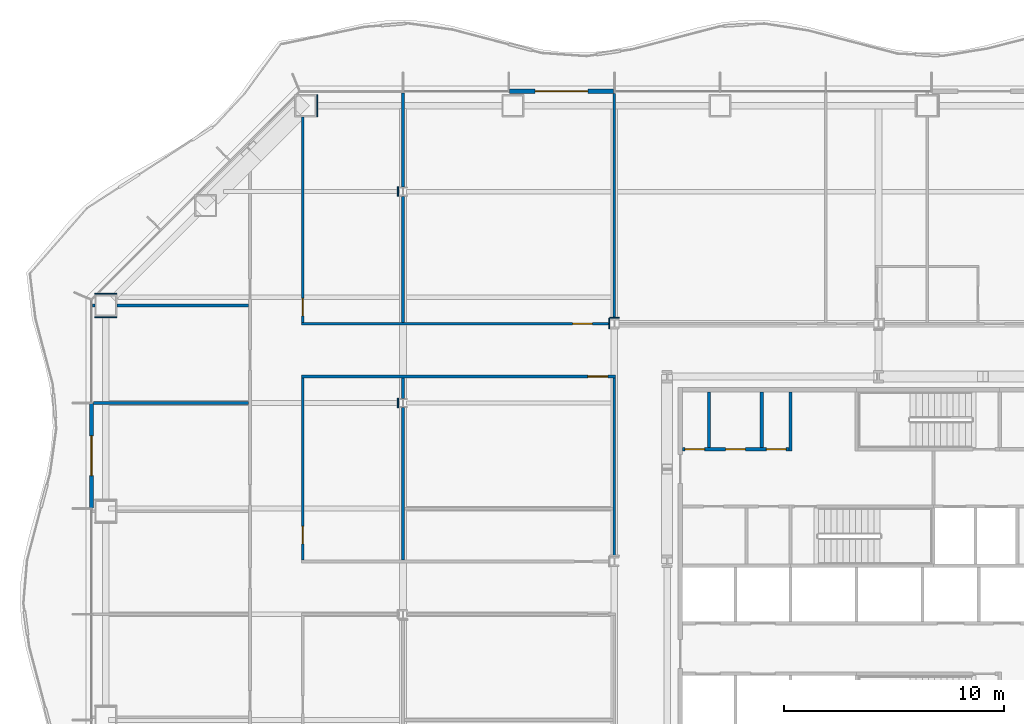
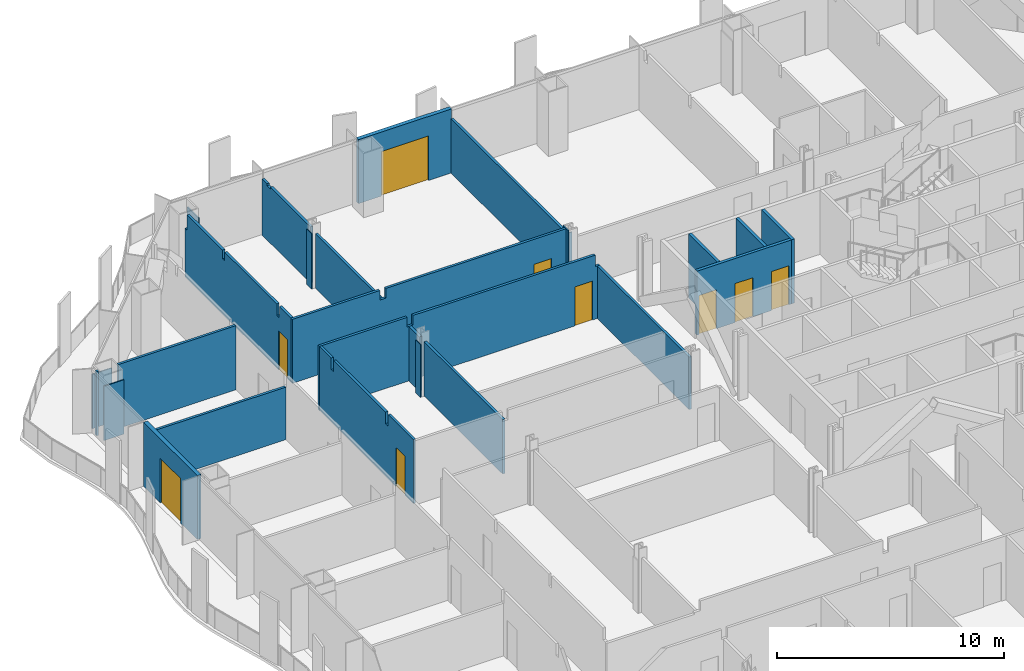
# One storey, part 12 of 20: 26 walls, 9 doors, 9 openings.
"""IFC4 building model written with IfcOpenShell, lengths in metres."""

from ifc_helpers import new_model, si_unit, direction, frame, frame_2d, origin, place, context, subcontext, project, spatial, polyline, rectangle, outline, extrude, material, layer, layer_set, type_object, element, fill, save


model = new_model("IFC4")

# Units and contexts
model_context = context("Model", 3, precision=1e-05, world=origin(), true_north=direction((0.0, 1.0)))
body_context = subcontext(model_context, "Body", "Model", "MODEL_VIEW")
ifc_project = project(units=[si_unit("LENGTHUNIT", "METRE"), si_unit("AREAUNIT", "SQUARE_METRE"), si_unit("VOLUMEUNIT", "CUBIC_METRE"), si_unit("PLANEANGLEUNIT", "RADIAN"), si_unit("MASSUNIT", "GRAM", prefix="KILO")], contexts=[model_context])

# Site, building, storey
site_placement = place(None, origin())
site = spatial("IfcSite", under=ifc_project, at=site_placement, CompositionType="ELEMENT")
building_placement = place(site_placement, origin())
building = spatial("IfcBuilding", under=site, at=building_placement, Name="Cairn Pilgrim Tower", CompositionType="ELEMENT")
storey_placement = place(building_placement, frame((0.0, 0.0, 51.0)))
storey = spatial("IfcBuildingStorey", under=building, at=storey_placement, Name="L10", CompositionType="ELEMENT", Elevation=51.0)

# Wall, opening, door
ifc_material_1 = material(Name="Bronze anodised aluminium insulated sandwich panel with mineral wool fill", Category="aluminium")
ifc_layer_1 = layer(ifc_material_1, 0.199951171875)
ifc_layer_set_1 = layer_set([ifc_layer_1], Name="BRONZE INFILL FRAME WALL 200")
wall_type_1 = type_object("IfcWallType", Name="BRONZE INFILL FRAME WALL 200", PredefinedType="NOTDEFINED", material=ifc_layer_set_1)
wall_1_placement = place(storey_placement, frame((-4.830078125, 23.75, 0.0), z_axis=(0.0, 0.0, 1.0), x_axis=(-1.0, 0.0, 0.0)))
wall_1 = element("IfcWall", 1, at=wall_1_placement, inside=storey, type_object=wall_type_1, Name="Bronze infill frame wall IW-N6", PredefinedType="NOTDEFINED", context=body_context, shape_type="SweptSolid", body=[
    extrude(rectangle(XDim=4.739990234375, YDim=0.199951171875, at=frame_2d((2.3701171875, 0.0))), origin(), (0.0, 0.0, 1.0), 3.449951171875),
])
opening_1_placement = place(wall_1_placement, frame((1.169921875, 0.0, 0.0)))
opening_1 = element("IfcOpeningElement", 2, at=opening_1_placement, cuts=wall_1, Name="Opening 1017B", PredefinedType="OPENING", context=body_context, shape_type="SweptSolid", body=[
    extrude(rectangle(XDim=2.39990234375, YDim=2.39990234375, at=frame_2d((1.199951171875, 1.199951171875))), frame((0.0, 0.10986328125, 0.0), z_axis=(0.0, -1.0, 0.0), x_axis=(1.0, 0.0, 0.0)), (0.0, 0.0, 1.0), 0.219970703125),
])
ifc_material_2 = material(Name="Bronze anodised aluminium frame with tinted low-E glass", Category="aluminium")
door_type_1 = type_object("IfcDoorType", Name="BALCONY SLIDING DOOR 2400x2400", OperationType="DOUBLE_DOOR_SLIDING", PredefinedType="DOOR", material=ifc_material_2)
door_1_placement = place(opening_1_placement, origin())
door_1 = element("IfcDoor", 3, at=door_1_placement, inside=storey, type_object=door_type_1, Name="Balcony sliding door 1017B", OperationType="SINGLE_SWING_LEFT", OverallHeight=2.39990234375, OverallWidth=2.39990234375, PredefinedType="DOOR", context=body_context, shape_type="SweptSolid", body=[
    extrude(rectangle(XDim=2.39990234375, YDim=2.39990234375, at=frame_2d((1.199951171875, 1.199951171875))), frame((0.0, 0.02490234375, 0.0), z_axis=(0.0, -1.0, 0.0), x_axis=(1.0, 0.0, 0.0)), (0.0, 0.0, 1.0), 0.050048828125),
])
fill(opening_1, door_1)

wall_2_placement = place(storey_placement, frame((-28.550048828125, 9.570068359375, 0.0), z_axis=(0.0, 0.0, 1.0), x_axis=(0.0, -1.0, 0.0)))
wall_2 = element("IfcWall", 4, at=wall_2_placement, inside=storey, type_object=wall_type_1, Name="Bronze infill frame wall IW-W2", PredefinedType="NOTDEFINED", context=body_context, shape_type="SweptSolid", body=[
    extrude(rectangle(XDim=4.739990234375, YDim=0.199951171875, at=frame_2d((2.3701171875, 0.0))), origin(), (0.0, 0.0, 1.0), 3.449951171875),
])
opening_2_placement = place(wall_2_placement, frame((1.469970703125, 0.0, 0.0)))
opening_2 = element("IfcOpeningElement", 5, at=opening_2_placement, cuts=wall_2, Name="Opening 1013B", PredefinedType="OPENING", context=body_context, shape_type="SweptSolid", body=[
    extrude(rectangle(XDim=1.800048828125, YDim=2.39990234375, at=frame_2d((0.89990234375, 1.199951171875))), frame((0.0, 0.10986328125, 0.0), z_axis=(0.0, -1.0, 0.0), x_axis=(1.0, 0.0, 0.0)), (0.0, 0.0, 1.0), 0.219970703125),
])
door_type_2 = type_object("IfcDoorType", Name="BALCONY SLIDING DOOR 1800x2400", OperationType="DOUBLE_DOOR_SLIDING", PredefinedType="DOOR", material=ifc_material_2)
door_2_placement = place(opening_2_placement, origin())
door_2 = element("IfcDoor", 6, at=door_2_placement, inside=storey, type_object=door_type_2, Name="Balcony sliding door 1013B", OperationType="SINGLE_SWING_LEFT", OverallHeight=2.39990234375, OverallWidth=1.800048828125, PredefinedType="DOOR", context=body_context, shape_type="SweptSolid", body=[
    extrude(rectangle(XDim=1.800048828125, YDim=2.39990234375, at=frame_2d((0.89990234375, 1.199951171875))), frame((0.0, 0.02490234375, 0.0), z_axis=(0.0, -1.0, 0.0), x_axis=(1.0, 0.0, 0.0)), (0.0, 0.0, 1.0), 0.050048828125),
])
fill(opening_2, door_2)

# Wall, openings, doors
ifc_material_3 = material(Name="Concrete C32/40", Category="concrete")
ifc_layer_2 = layer(ifc_material_3, 0.14990234375)
ifc_layer_set_2 = layer_set([ifc_layer_2], Name="CORE PARTITION 150 EI 60")
wall_type_2 = type_object("IfcWallType", Name="CORE PARTITION 150 EI 60", PredefinedType="PARTITIONING", material=ifc_layer_set_2)
wall_3_placement = place(storey_placement, frame((-1.699951171875, 7.5, 0.0), z_axis=(0.0, 0.0, 1.0), x_axis=(1.0, 0.0, 0.0)))
wall_3 = element("IfcWall", 7, at=wall_3_placement, inside=storey, type_object=wall_type_2, Name="CW:L10:H09", PredefinedType="PARTITIONING", context=body_context, shape_type="SweptSolid", body=[
    extrude(rectangle(XDim=4.824951171875, YDim=0.14990234375, at=frame_2d((2.41259765625, 0.0))), origin(), (0.0, 0.0, 1.0), 3.449951171875),
])
opening_3_placement = place(wall_3_placement, frame((0.10009765625, 0.0, 0.0)))
opening_3 = element("IfcOpeningElement", 8, at=opening_3_placement, cuts=wall_3, Name="Opening RD-R4W1", PredefinedType="OPENING", context=body_context, shape_type="SweptSolid", body=[
    extrude(rectangle(XDim=0.89990234375, YDim=2.10009765625, at=frame_2d((0.449951171875, 1.050048828125))), frame((0.0, 0.0849609375, 0.0), z_axis=(0.0, -1.0, 0.0), x_axis=(1.0, 0.0, 0.0)), (0.0, 0.0, 1.0), 0.169921875),
])
opening_4_placement = place(wall_3_placement, frame((1.949951171875, 0.0, 0.0)))
opening_4 = element("IfcOpeningElement", 9, at=opening_4_placement, cuts=wall_3, Name="Opening RD-R4W2", PredefinedType="OPENING", context=body_context, shape_type="SweptSolid", body=[
    extrude(rectangle(XDim=0.89990234375, YDim=2.10009765625, at=frame_2d((0.449951171875, 1.050048828125))), frame((0.0, 0.0849609375, 0.0), z_axis=(0.0, -1.0, 0.0), x_axis=(1.0, 0.0, 0.0)), (0.0, 0.0, 1.0), 0.169921875),
])
opening_5_placement = place(wall_3_placement, frame((3.800048828125, 0.0, 0.0)))
opening_5 = element("IfcOpeningElement", 10, at=opening_5_placement, cuts=wall_3, Name="Opening RD-R4W3", PredefinedType="OPENING", context=body_context, shape_type="SweptSolid", body=[
    extrude(rectangle(XDim=0.89990234375, YDim=2.10009765625, at=frame_2d((0.449951171875, 1.050048828125))), frame((0.0, 0.0849609375, 0.0), z_axis=(0.0, -1.0, 0.0), x_axis=(1.0, 0.0, 0.0)), (0.0, 0.0, 1.0), 0.169921875),
])
ifc_material_4 = material(Name="Painted steel", Category="steel")
door_type_3 = type_object("IfcDoorType", Name="SERVICE ROOM DOOR 900x2100", OperationType="SINGLE_SWING_LEFT", PredefinedType="DOOR", material=ifc_material_4)
door_3_placement = place(opening_3_placement, origin())
door_3 = element("IfcDoor", 11, at=door_3_placement, inside=storey, type_object=door_type_3, Name="RD-R4W1", OperationType="SINGLE_SWING_RIGHT", OverallHeight=2.10009765625, OverallWidth=0.89990234375, PredefinedType="DOOR", context=body_context, shape_type="SweptSolid", body=[
    extrude(rectangle(XDim=0.89990234375, YDim=2.10009765625, at=frame_2d((0.449951171875, 1.050048828125))), frame((0.0, 0.02490234375, 0.0), z_axis=(0.0, -1.0, 0.0), x_axis=(1.0, 0.0, 0.0)), (0.0, 0.0, 1.0), 0.050048828125),
])
fill(opening_3, door_3)
door_4_placement = place(opening_4_placement, origin())
door_4 = element("IfcDoor", 12, at=door_4_placement, inside=storey, type_object=door_type_3, Name="RD-R4W2", OperationType="SINGLE_SWING_LEFT", OverallHeight=2.10009765625, OverallWidth=0.89990234375, PredefinedType="DOOR", context=body_context, shape_type="SweptSolid", body=[
    extrude(rectangle(XDim=0.89990234375, YDim=2.10009765625, at=frame_2d((0.449951171875, 1.050048828125))), frame((0.0, 0.02490234375, 0.0), z_axis=(0.0, -1.0, 0.0), x_axis=(1.0, 0.0, 0.0)), (0.0, 0.0, 1.0), 0.050048828125),
])
fill(opening_4, door_4)
door_5_placement = place(opening_5_placement, origin())
door_5 = element("IfcDoor", 13, at=door_5_placement, inside=storey, type_object=door_type_3, Name="RD-R4W3", OperationType="SINGLE_SWING_RIGHT", OverallHeight=2.10009765625, OverallWidth=0.89990234375, PredefinedType="DOOR", context=body_context, shape_type="SweptSolid", body=[
    extrude(rectangle(XDim=0.89990234375, YDim=2.10009765625, at=frame_2d((0.449951171875, 1.050048828125))), frame((0.0, 0.02490234375, 0.0), z_axis=(0.0, -1.0, 0.0), x_axis=(1.0, 0.0, 0.0)), (0.0, 0.0, 1.0), 0.050048828125),
])
fill(opening_5, door_5)

# Walls
for number, where, z_axis, x_axis, name in (
    (14, (-0.5, 7.574951171875, 0.0), (0.0, 0.0, 1.0), (0.0, 1.0, 0.0), "CW:L10:V13"),
    (15, (1.89990234375, 7.574951171875, 0.0), (0.0, 0.0, 1.0), (0.0, 1.0, 0.0), "CW:L10:V17"),
):
    element("IfcWall", number, at=place(storey_placement, frame(where, z_axis=z_axis, x_axis=x_axis)), inside=storey, type_object=wall_type_2, Name=name, PredefinedType="PARTITIONING", context=body_context, shape_type="SweptSolid", body=[
        extrude(rectangle(XDim=2.525146484375, YDim=0.14990234375, at=frame_2d((1.2626953125, 0.0))), origin(), (0.0, 0.0, 1.0), 3.449951171875),
    ])
wall_4_placement = place(storey_placement, frame((3.199951171875, 7.425048828125, 0.0), z_axis=(0.0, 0.0, 1.0), x_axis=(0.0, 1.0, 0.0)))
element("IfcWall", 16, at=wall_4_placement, inside=storey, type_object=wall_type_2, Name="CW:L10:V21", PredefinedType="PARTITIONING", context=body_context, shape_type="SweptSolid", body=[
    extrude(rectangle(XDim=2.675048828125, YDim=0.14990234375, at=frame_2d((1.33740234375, 0.0))), origin(), (0.0, 0.0, 1.0), 3.449951171875),
])

# Wall, opening, door
ifc_material_5 = material(Name="Gypsum partition")
ifc_layer_3 = layer(ifc_material_5, 0.125)
ifc_layer_set_3 = layer_set([ifc_layer_3], Name="PARTITION 125 DRYWALL EI 60")
wall_type_3 = type_object("IfcWallType", Name="PARTITION 125 DRYWALL EI 60", PredefinedType="PARTITIONING", material=ifc_layer_set_3)
wall_5_placement = place(storey_placement, frame((-18.949951171875, 2.46240234375, 0.0), z_axis=(0.0, 0.0, 1.0), x_axis=(0.0, 1.0, 0.0)))
wall_5 = element("IfcWall", 17, at=wall_5_placement, inside=storey, type_object=wall_type_3, Name="PARTITION W051", PredefinedType="PARTITIONING", context=body_context, shape_type="SweptSolid", body=[
    extrude(outline(polyline([(0.0, 0.0), (8.275146484375, 0.0), (8.27490234375, 3.449951171875), (7.24755859375, 3.449951171875), (7.24560546875, 2.830078125), (7.027587890625, 2.830078125), (7.025390625, 3.449951171875), (2.447509765625, 3.449951171875), (2.445556640625, 2.830078125), (2.2275390625, 2.830078125), (2.2255859375, 3.449951171875), (0.0, 3.449951171875), (0.0, 0.0)])), frame((0.0, 0.0625, 0.0), z_axis=(0.0, -1.0, 0.0), x_axis=(1.0, 0.0, 0.0)), (0.0, 0.0, 1.0), 0.125),
])
opening_6_placement = place(wall_5_placement, frame((0.737548828125, 0.0, 0.0)))
opening_6 = element("IfcOpeningElement", 18, at=opening_6_placement, cuts=wall_5, Name="Opening 1033", PredefinedType="OPENING", context=body_context, shape_type="SweptSolid", body=[
    extrude(rectangle(XDim=0.800048828125, YDim=2.10009765625, at=frame_2d((0.39990234375, 1.050048828125))), frame((0.0, 0.072509765625, 0.0), z_axis=(0.0, -1.0, 0.0), x_axis=(1.0, 0.0, 0.0)), (0.0, 0.0, 1.0), 0.14501953125),
])
ifc_material_6 = material(Name="Steel-faced fire door leaf", Category="steel")
door_type_4 = type_object("IfcDoorType", Name="FIRE DOOR 800x2100 FD30S", OperationType="NOTDEFINED", PredefinedType="DOOR", material=ifc_material_6)
door_6_placement = place(opening_6_placement, frame((0.800048828125, 0.0, 0.0), z_axis=(0.0, 0.0, 1.0), x_axis=(-1.0, 0.0, 0.0)))
door_6 = element("IfcDoor", 19, at=door_6_placement, inside=storey, type_object=door_type_4, Name="DOOR 1033", OperationType="SINGLE_SWING_RIGHT", OverallHeight=2.10009765625, OverallWidth=0.800048828125, PredefinedType="DOOR", context=body_context, shape_type="SweptSolid", body=[
    extrude(rectangle(XDim=0.800048828125, YDim=2.10009765625, at=frame_2d((0.39990234375, 1.050048828125))), frame((0.0, 0.02490234375, 0.0), z_axis=(0.0, -1.0, 0.0), x_axis=(1.0, 0.0, 0.0)), (0.0, 0.0, 1.0), 0.050048828125),
])
fill(opening_6, door_6)

# Walls
wall_6_placement = place(storey_placement, frame((-14.39990234375, 2.46240234375, 0.0), z_axis=(0.0, 0.0, 1.0), x_axis=(0.0, 1.0, 0.0)))
element("IfcWall", 20, at=wall_6_placement, inside=storey, type_object=wall_type_3, Name="PARTITION W052", PredefinedType="PARTITIONING", context=body_context, shape_type="SweptSolid", body=[
    extrude(rectangle(XDim=6.925048828125, YDim=0.125, at=frame_2d((3.46240234375, 0.0))), origin(), (0.0, 0.0, 1.0), 2.929931640625),
])
wall_7_placement = place(storey_placement, frame((-4.800048828125, 2.636962890625, 0.0), z_axis=(0.0, 0.0, 1.0), x_axis=(0.0, 1.0, 0.0)))
element("IfcWall", 21, at=wall_7_placement, inside=storey, type_object=wall_type_3, Name="PARTITION W053", PredefinedType="PARTITIONING", context=body_context, shape_type="SweptSolid", body=[
    extrude(rectangle(XDim=8.1005859375, YDim=0.125, at=frame_2d((4.05029296875, 0.0))), origin(), (0.0, 0.0, 1.0), 2.830078125),
])
wall_8_placement = place(storey_placement, frame((-28.449951171875, 9.60009765625, 0.0), z_axis=(0.0, 0.0, 1.0), x_axis=(1.0, 0.0, 0.0)))
element("IfcWall", 22, at=wall_8_placement, inside=storey, type_object=wall_type_3, Name="PARTITION W062", PredefinedType="PARTITIONING", context=body_context, shape_type="SweptSolid", body=[
    extrude(rectangle(XDim=7.037353515625, YDim=0.125, at=frame_2d((3.5185546875, 0.0))), origin(), (0.0, 0.0, 1.0), 2.830078125),
])
wall_9_placement = place(storey_placement, frame((-14.39990234375, 9.8125, 0.0), z_axis=(0.0, 0.0, 1.0), x_axis=(0.0, 1.0, 0.0)))
element("IfcWall", 23, at=wall_9_placement, inside=storey, type_object=wall_type_3, Name="PARTITION W064", PredefinedType="PARTITIONING", context=body_context, shape_type="SweptSolid", body=[
    extrude(rectangle(XDim=0.925048828125, YDim=0.125, at=frame_2d((0.46240234375, 0.0))), origin(), (0.0, 0.0, 1.0), 2.929931640625),
])

# Wall, opening, door
wall_10_placement = place(storey_placement, frame((-19.012451171875, 10.800048828125, 0.0), z_axis=(0.0, 0.0, 1.0), x_axis=(1.0, 0.0, 0.0)))
wall_10 = element("IfcWall", 24, at=wall_10_placement, inside=storey, type_object=wall_type_3, Name="PARTITION W065", PredefinedType="PARTITIONING", context=body_context, shape_type="SweptSolid", body=[
    extrude(outline(polyline([(0.0, 0.0), (14.27490234375, 0.0), (14.27490234375, 2.830078125), (14.0625, 2.830078125), (14.060546875, 3.449951171875), (4.762451171875, 3.449951171875), (4.760498046875, 2.929931640625), (4.46240234375, 2.929931640625), (4.46044921875, 3.449951171875), (0.0, 3.449951171875), (0.0, 0.0)])), frame((0.0, 0.0625, 0.0), z_axis=(0.0, -1.0, 0.0), x_axis=(1.0, 0.0, 0.0)), (0.0, 0.0, 1.0), 0.125),
])
opening_7_placement = place(wall_10_placement, frame((13.012451171875, 0.0, 0.0)))
opening_7 = element("IfcOpeningElement", 25, at=opening_7_placement, cuts=wall_10, Name="Opening 1031", PredefinedType="OPENING", context=body_context, shape_type="SweptSolid", body=[
    extrude(rectangle(XDim=0.89990234375, YDim=2.10009765625, at=frame_2d((0.449951171875, 1.050048828125))), frame((0.0, 0.072509765625, 0.0), z_axis=(0.0, -1.0, 0.0), x_axis=(1.0, 0.0, 0.0)), (0.0, 0.0, 1.0), 0.14501953125),
])
door_type_5 = type_object("IfcDoorType", Name="FIRE DOOR 900x2100 FD30S", OperationType="NOTDEFINED", PredefinedType="DOOR", material=ifc_material_6)
door_7_placement = place(opening_7_placement, frame((0.89990234375, 0.0, 0.0), z_axis=(0.0, 0.0, 1.0), x_axis=(-1.0, 0.0, 0.0)))
door_7 = element("IfcDoor", 26, at=door_7_placement, inside=storey, type_object=door_type_5, Name="DOOR 1031", OperationType="SINGLE_SWING_RIGHT", OverallHeight=2.10009765625, OverallWidth=0.89990234375, PredefinedType="DOOR", context=body_context, shape_type="SweptSolid", body=[
    extrude(rectangle(XDim=0.89990234375, YDim=2.10009765625, at=frame_2d((0.449951171875, 1.050048828125))), frame((0.0, 0.02490234375, 0.0), z_axis=(0.0, -1.0, 0.0), x_axis=(1.0, 0.0, 0.0)), (0.0, 0.0, 1.0), 0.050048828125),
])
fill(opening_7, door_7)

wall_11_placement = place(storey_placement, frame((-19.012451171875, 13.199951171875, 0.0), z_axis=(0.0, 0.0, 1.0), x_axis=(1.0, 0.0, 0.0)))
wall_11 = element("IfcWall", 27, at=wall_11_placement, inside=storey, type_object=wall_type_3, Name="PARTITION W066", PredefinedType="PARTITIONING", context=body_context, shape_type="SweptSolid", body=[
    extrude(outline(polyline([(0.0, 0.0), (14.00048828125, 0.0), (14.00048828125, 3.449951171875), (4.762451171875, 3.449951171875), (4.760498046875, 2.929931640625), (4.46240234375, 2.929931640625), (4.46044921875, 3.449951171875), (0.0, 3.449951171875), (0.0, 0.0)])), frame((0.0, 0.0625, 0.0), z_axis=(0.0, -1.0, 0.0), x_axis=(1.0, 0.0, 0.0)), (0.0, 0.0, 1.0), 0.125),
])
opening_8_placement = place(wall_11_placement, frame((12.3125, 0.0, 0.0)))
opening_8 = element("IfcOpeningElement", 28, at=opening_8_placement, cuts=wall_11, Name="Opening 1017", PredefinedType="OPENING", context=body_context, shape_type="SweptSolid", body=[
    extrude(rectangle(XDim=0.89990234375, YDim=2.10009765625, at=frame_2d((0.449951171875, 1.050048828125))), frame((0.0, 0.072509765625, 0.0), z_axis=(0.0, -1.0, 0.0), x_axis=(1.0, 0.0, 0.0)), (0.0, 0.0, 1.0), 0.14501953125),
])
door_8_placement = place(opening_8_placement, origin())
door_8 = element("IfcDoor", 29, at=door_8_placement, inside=storey, type_object=door_type_5, Name="DOOR 1017", OperationType="SINGLE_SWING_RIGHT", OverallHeight=2.10009765625, OverallWidth=0.89990234375, PredefinedType="DOOR", context=body_context, shape_type="SweptSolid", body=[
    extrude(rectangle(XDim=0.89990234375, YDim=2.10009765625, at=frame_2d((0.449951171875, 1.050048828125))), frame((0.0, 0.02490234375, 0.0), z_axis=(0.0, -1.0, 0.0), x_axis=(1.0, 0.0, 0.0)), (0.0, 0.0, 1.0), 0.050048828125),
])
fill(opening_8, door_8)

wall_12_placement = place(storey_placement, frame((-18.949951171875, 13.262451171875, 0.0), z_axis=(0.0, 0.0, 1.0), x_axis=(0.0, 1.0, 0.0)))
wall_12 = element("IfcWall", 30, at=wall_12_placement, inside=storey, type_object=wall_type_3, Name="PARTITION W069", PredefinedType="PARTITIONING", context=body_context, shape_type="SweptSolid", body=[
    extrude(outline(polyline([(0.0, 0.0), (9.337646484375, 0.0), (9.33740234375, 2.6298828125), (9.1572265625, 2.6298828125), (9.1552734375, 3.449951171875), (6.032470703125, 3.449951171875), (6.030517578125, 2.97998046875), (5.842529296875, 2.97998046875), (5.840576171875, 3.449951171875), (1.24755859375, 3.449951171875), (1.24560546875, 2.830078125), (1.027587890625, 2.830078125), (1.025390625, 3.449951171875), (0.0, 3.449951171875), (0.0, 0.0)])), frame((0.0, 0.0625, 0.0), z_axis=(0.0, -1.0, 0.0), x_axis=(1.0, 0.0, 0.0)), (0.0, 0.0, 1.0), 0.125),
])
opening_9_placement = place(wall_12_placement, frame((0.28759765625, 0.0, 0.0)))
opening_9 = element("IfcOpeningElement", 31, at=opening_9_placement, cuts=wall_12, Name="Opening 1016", PredefinedType="OPENING", context=body_context, shape_type="SweptSolid", body=[
    extrude(rectangle(XDim=0.800048828125, YDim=2.10009765625, at=frame_2d((0.39990234375, 1.050048828125))), frame((0.0, 0.072509765625, 0.0), z_axis=(0.0, -1.0, 0.0), x_axis=(1.0, 0.0, 0.0)), (0.0, 0.0, 1.0), 0.14501953125),
])
door_9_placement = place(opening_9_placement, frame((0.800048828125, 0.0, 0.0), z_axis=(0.0, 0.0, 1.0), x_axis=(-1.0, 0.0, 0.0)))
door_9 = element("IfcDoor", 32, at=door_9_placement, inside=storey, type_object=door_type_4, Name="DOOR 1016", OperationType="SINGLE_SWING_LEFT", OverallHeight=2.10009765625, OverallWidth=0.800048828125, PredefinedType="DOOR", context=body_context, shape_type="SweptSolid", body=[
    extrude(rectangle(XDim=0.800048828125, YDim=2.10009765625, at=frame_2d((0.39990234375, 1.050048828125))), frame((0.0, 0.02490234375, 0.0), z_axis=(0.0, -1.0, 0.0), x_axis=(1.0, 0.0, 0.0)), (0.0, 0.0, 1.0), 0.050048828125),
])
fill(opening_9, door_9)

# Walls
wall_13_placement = place(storey_placement, frame((-14.39990234375, 13.262451171875, 0.0), z_axis=(0.0, 0.0, 1.0), x_axis=(0.0, 1.0, 0.0)))
element("IfcWall", 33, at=wall_13_placement, inside=storey, type_object=wall_type_3, Name="PARTITION W070", PredefinedType="PARTITIONING", context=body_context, shape_type="SweptSolid", body=[
    extrude(rectangle(XDim=5.72509765625, YDim=0.125, at=frame_2d((2.862548828125, 0.0))), origin(), (0.0, 0.0, 1.0), 2.929931640625),
])
wall_14_placement = place(storey_placement, frame((-4.800048828125, 13.43701171875, 0.0), z_axis=(0.0, 0.0, 1.0), x_axis=(0.0, 1.0, 0.0)))
element("IfcWall", 34, at=wall_14_placement, inside=storey, type_object=wall_type_3, Name="PARTITION W075", PredefinedType="PARTITIONING", context=body_context, shape_type="SweptSolid", body=[
    extrude(rectangle(XDim=10.212890625, YDim=0.125, at=frame_2d((5.1064453125, 0.0))), origin(), (0.0, 0.0, 1.0), 2.929931640625),
])
wall_15_placement = place(storey_placement, frame((-28.5029296875, 14.027099609375, 0.0), z_axis=(0.0, 0.0, 1.0), x_axis=(1.0, 0.0, 0.0)))
element("IfcWall", 35, at=wall_15_placement, inside=storey, type_object=wall_type_3, Name="PARTITION W078", PredefinedType="PARTITIONING", context=body_context, shape_type="SweptSolid", body=[
    extrude(rectangle(XDim=0.10302734375, YDim=0.125, at=frame_2d((0.051513671875, 0.0))), origin(), (0.0, 0.0, 1.0), 3.449951171875),
])
wall_16_placement = place(storey_placement, frame((-27.39990234375, 14.027099609375, 0.0), z_axis=(0.0, 0.0, 1.0), x_axis=(1.0, 0.0, 0.0)))
element("IfcWall", 36, at=wall_16_placement, inside=storey, type_object=wall_type_3, Name="PARTITION W079", PredefinedType="PARTITIONING", context=body_context, shape_type="SweptSolid", body=[
    extrude(rectangle(XDim=5.9873046875, YDim=0.125, at=frame_2d((2.99365234375, 0.0))), origin(), (0.0, 0.0, 1.0), 3.449951171875),
])
wall_17_placement = place(storey_placement, frame((-14.39990234375, 19.41259765625, 0.0), z_axis=(0.0, 0.0, 1.0), x_axis=(0.0, 1.0, 0.0)))
element("IfcWall", 37, at=wall_17_placement, inside=storey, type_object=wall_type_3, Name="PARTITION W082", PredefinedType="PARTITIONING", context=body_context, shape_type="SweptSolid", body=[
    extrude(outline(polyline([(0.0, 0.0), (4.27734375, 0.0), (4.277587890625, 3.030029296875), (3.83740234375, 3.030029296875), (3.83544921875, 2.929931640625), (3.53759765625, 2.929931640625), (3.535400390625, 3.030029296875), (0.0, 3.030029296875), (0.0, 0.0)])), frame((0.0, 0.0625, 0.0), z_axis=(0.0, -1.0, 0.0), x_axis=(1.0, 0.0, 0.0)), (0.0, 0.0, 1.0), 0.125),
])
ifc_layer_4 = layer(ifc_material_5, 0.050048828125)
ifc_layer_set_4 = layer_set([ifc_layer_4], Name="PARTITION 50 DRYWALL EI 60")
wall_type_4 = type_object("IfcWallType", Name="PARTITION 50 DRYWALL EI 60", PredefinedType="PARTITIONING", material=ifc_layer_set_4)
wall_18_placement = place(storey_placement, frame((-14.62939453125, 9.387451171875, 0.0), z_axis=(0.0, 0.0, 1.0), x_axis=(0.0, 1.0, 0.0)))
element("IfcWall", 38, at=wall_18_placement, inside=storey, type_object=wall_type_4, Name="COLUMN CASING WC24", PredefinedType="PARTITIONING", context=body_context, shape_type="SweptSolid", body=[
    extrude(rectangle(XDim=0.425048828125, YDim=0.050048828125, at=frame_2d((0.21240234375, 0.0))), origin(), (0.0, 0.0, 1.0), 2.830078125),
])
wall_19_placement = place(storey_placement, frame((-5.011962890625, 13.4619140625, 0.0), z_axis=(0.0, 0.0, 1.0), x_axis=(1.0, 0.0, 0.0)))
element("IfcWall", 39, at=wall_19_placement, inside=storey, type_object=wall_type_4, Name="COLUMN CASING WC30", PredefinedType="PARTITIONING", context=body_context, shape_type="SweptSolid", body=[
    extrude(rectangle(XDim=0.424072265625, YDim=0.050048828125, at=frame_2d((0.2119140625, 0.0))), origin(), (0.0, 0.0, 1.0), 2.929931640625),
])
wall_20_placement = place(storey_placement, frame((-18.30224609375, 22.60009765625, 0.0), z_axis=(0.0, 0.0, 1.0), x_axis=(0.0, 1.0, 0.0)))
element("IfcWall", 40, at=wall_20_placement, inside=storey, type_object=wall_type_4, Name="COLUMN CASING WC34", PredefinedType="PARTITIONING", context=body_context, shape_type="SweptSolid", body=[
    extrude(rectangle(XDim=1.0, YDim=0.050048828125, at=frame_2d((0.5, 0.0))), origin(), (0.0, 0.0, 1.0), 2.929931640625),
])
wall_21_placement = place(storey_placement, frame((-14.62939453125, 18.987548828125, 0.0), z_axis=(0.0, 0.0, 1.0), x_axis=(0.0, 1.0, 0.0)))
element("IfcWall", 41, at=wall_21_placement, inside=storey, type_object=wall_type_4, Name="COLUMN CASING WC35", PredefinedType="PARTITIONING", context=body_context, shape_type="SweptSolid", body=[
    extrude(rectangle(XDim=0.425048828125, YDim=0.050048828125, at=frame_2d((0.21240234375, 0.0))), origin(), (0.0, 0.0, 1.0), 2.97998046875),
])
wall_22_placement = place(storey_placement, frame((-5.037109375, 12.962890625, 0.0), z_axis=(0.0, 0.0, 1.0), x_axis=(0.0, 1.0, 0.0)))
element("IfcWall", 42, at=wall_22_placement, inside=storey, type_object=wall_type_4, Name="COLUMN CASING WC36", PredefinedType="PARTITIONING", context=body_context, shape_type="SweptSolid", body=[
    extrude(rectangle(XDim=0.47412109375, YDim=0.050048828125, at=frame_2d((0.237060546875, 0.0))), origin(), (0.0, 0.0, 1.0), 3.449951171875),
])
for number, where, z_axis, x_axis, name in (
    (43, (-28.39990234375, 14.55224609375, 0.0), (0.0, 0.0, 1.0), (1.0, 0.0, 0.0), "COLUMN CASING WC40"),
    (44, (-28.39990234375, 13.502197265625, 0.0), (0.0, 0.0, 1.0), (1.0, 0.0, 0.0), "COLUMN CASING WC41"),
):
    element("IfcWall", number, at=place(storey_placement, frame(where, z_axis=z_axis, x_axis=x_axis)), inside=storey, type_object=wall_type_4, Name=name, PredefinedType="PARTITIONING", context=body_context, shape_type="SweptSolid", body=[
        extrude(rectangle(XDim=1.0, YDim=0.050048828125, at=frame_2d((0.5, 0.0))), origin(), (0.0, 0.0, 1.0), 2.929931640625),
    ])

save(model, "model.ifc")
